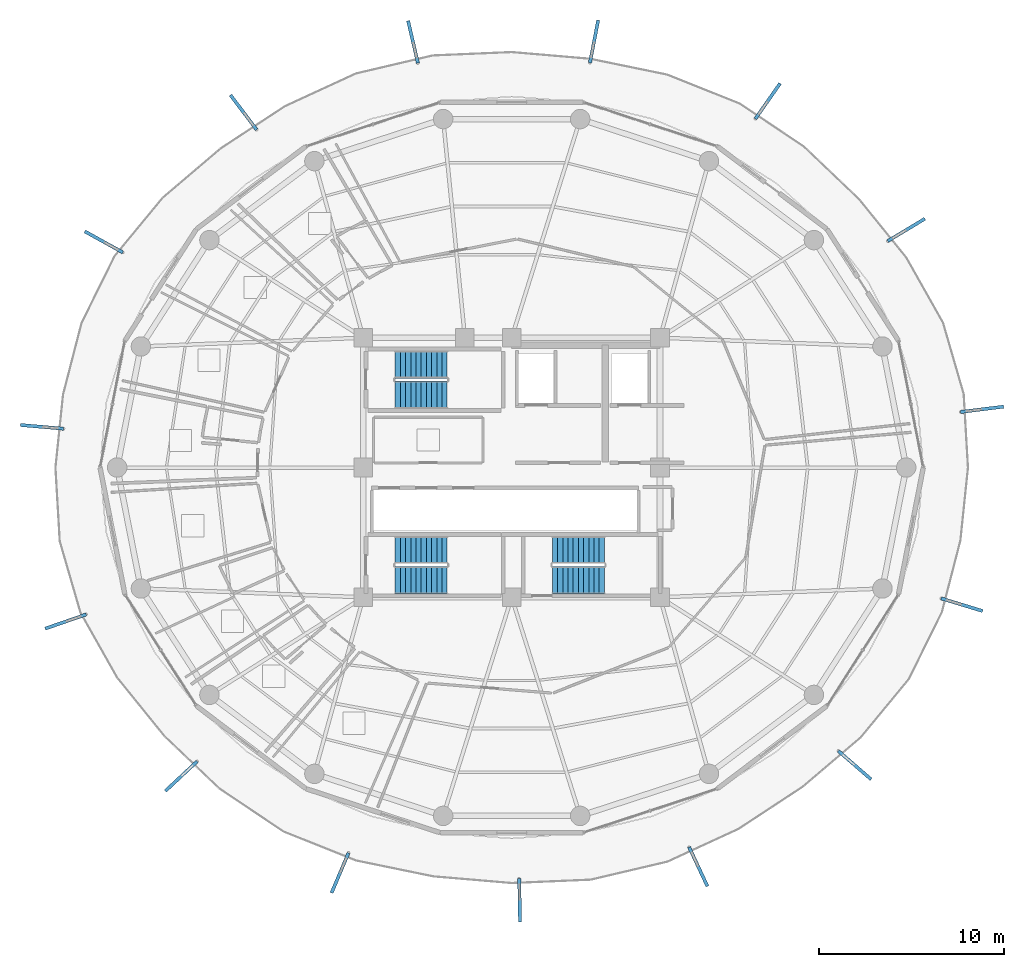
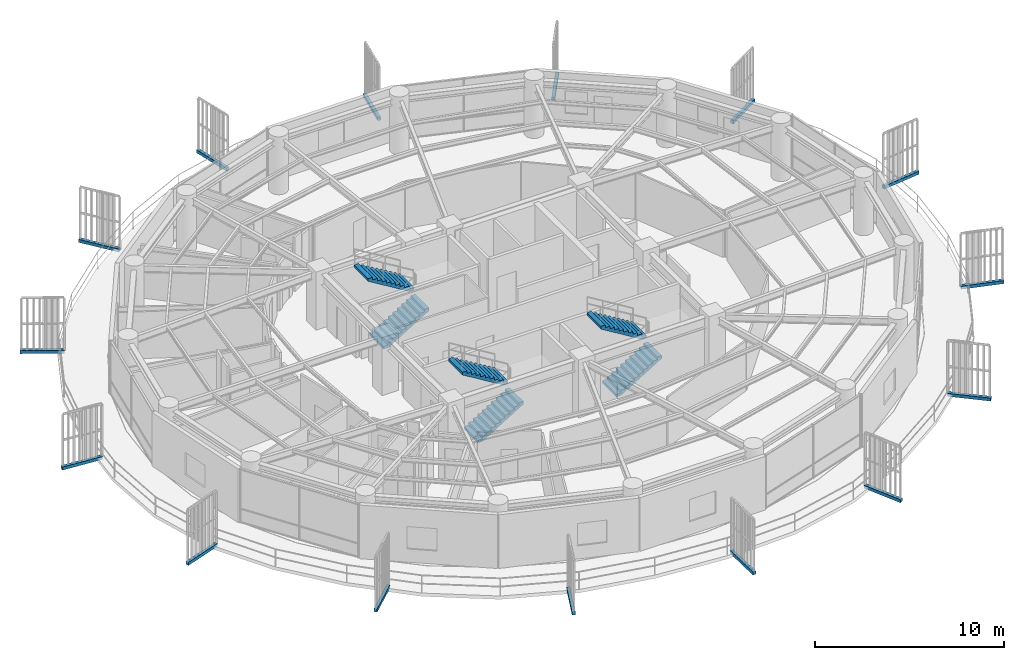
# One storey, part 26 of 30: 15 discrete accessories, 6 stair flights, 3 elements without a shape of their own.
"""IFC4 building model written with IfcOpenShell, lengths in metres."""

from ifc_helpers import new_model, si_unit, direction, frame, origin, origin_2d, place, context, subcontext, project, spatial, polyline, rectangle, outline, extrude, source, transform, mapped, material, type_object, element, aggregate, save


model = new_model("IFC4")

# Units and contexts
model_context = context("Model", 3, precision=1e-05, world=origin(), true_north=direction((0.0, 1.0)))
body_context = subcontext(model_context, "Body", "Model", "MODEL_VIEW")
ifc_project = project(units=[si_unit("LENGTHUNIT", "METRE"), si_unit("AREAUNIT", "SQUARE_METRE"), si_unit("VOLUMEUNIT", "CUBIC_METRE"), si_unit("PLANEANGLEUNIT", "RADIAN"), si_unit("MASSUNIT", "GRAM", prefix="KILO")], contexts=[model_context])

# Site, building, storey
site_placement = place(None, origin())
site = spatial("IfcSite", under=ifc_project, at=site_placement, CompositionType="ELEMENT")
building_placement = place(site_placement, origin())
building = spatial("IfcBuilding", under=site, at=building_placement, Name="Kelanora Arch Commons", CompositionType="ELEMENT")
storey_placement = place(building_placement, frame((0.0, 0.0, 234.449951171875)))
storey = spatial("IfcBuildingStorey", under=building, at=storey_placement, Name="L60", CompositionType="ELEMENT", Elevation=234.449951171875)

# Stair, stair flights
ifc_material_1 = material(Name="Concrete C40/50", Category="concrete")
stair_type = type_object("IfcStairType", Name="STR-DL-375", PredefinedType="HALF_TURN_STAIR", material=ifc_material_1)
stair_1_placement = place(storey_placement, origin())
stair_1 = element("IfcStair", 1, at=stair_1_placement, inside=storey, type_object=stair_type, Name="L60 ST-T1", PredefinedType="HALF_TURN_STAIR")
stair_flight_type = type_object("IfcStairFlightType", Name="FLT-DL-375", PredefinedType="STRAIGHT", material=ifc_material_1)
stair_flight_1_placement = place(storey_placement, frame((67.719970703125, 61.919921875, 0.0), z_axis=(0.0, 0.0, 1.0), x_axis=(1.0, 0.0, 0.0)))
stair_flight_1 = element("IfcStairFlight", 2, at=stair_flight_1_placement, type_object=stair_flight_type, Name="ST-T1 flight 1", NumberOfRisers=11, NumberOfTreads=10, PredefinedType="STRAIGHT", RiserHeight=0.170454545, TreadLength=0.28, context=body_context, shape_type="SweptSolid", body=[
    extrude(outline(polyline([(0.0, 0.0), (0.0, 0.17041015625), (0.280029296875, 0.17041015625), (0.280029296875, 0.3408203125), (0.56005859375, 0.3408203125), (0.56005859375, 0.511474609375), (0.840087890625, 0.511474609375), (0.840087890625, 0.681884765625), (1.1201171875, 0.681884765625), (1.1201171875, 0.852294921875), (1.39990234375, 0.852294921875), (1.39990234375, 1.022705078125), (1.679931640625, 1.022705078125), (1.679931640625, 1.193115234375), (1.9599609375, 1.193115234375), (1.9599609375, 1.363525390625), (2.239990234375, 1.363525390625), (2.239990234375, 1.5341796875), (2.52001953125, 1.5341796875), (2.52001953125, 1.70458984375), (2.800048828125, 1.70458984375), (2.800048828125, 1.875), (2.800048828125, 1.529052734375), (0.288330078125, 0.0), (0.0, 0.0)])), frame((0.0, 0.739990234375, 0.0), z_axis=(0.0, -1.0, 0.0), x_axis=(1.0, 0.0, 0.0)), (0.0, 0.0, 1.0), 1.47998046875),
])
stair_flight_2_placement = place(storey_placement, frame((70.52001953125, 63.550048828125, 1.875), z_axis=(0.0, 0.0, 1.0), x_axis=(-1.0, 0.0, 0.0)))
stair_flight_2 = element("IfcStairFlight", 3, at=stair_flight_2_placement, type_object=stair_flight_type, Name="ST-T1 flight 2", NumberOfRisers=11, NumberOfTreads=10, PredefinedType="STRAIGHT", RiserHeight=0.170454545, TreadLength=0.28, context=body_context, shape_type="SweptSolid", body=[
    extrude(outline(polyline([(0.0, 0.0), (0.0, 0.17041015625), (0.280029296875, 0.17041015625), (0.280029296875, 0.3408203125), (0.56005859375, 0.3408203125), (0.56005859375, 0.511474609375), (0.840087890625, 0.511474609375), (0.840087890625, 0.681884765625), (1.1201171875, 0.681884765625), (1.1201171875, 0.852294921875), (1.39990234375, 0.852294921875), (1.39990234375, 1.022705078125), (1.679931640625, 1.022705078125), (1.679931640625, 1.193115234375), (1.9599609375, 1.193115234375), (1.9599609375, 1.363525390625), (2.239990234375, 1.363525390625), (2.239990234375, 1.5341796875), (2.52001953125, 1.5341796875), (2.52001953125, 1.70458984375), (2.800048828125, 1.70458984375), (2.800048828125, 1.875), (2.800048828125, 1.529052734375), (0.288330078125, 0.0), (0.0, 0.0)])), frame((0.0, 0.739990234375, 0.0), z_axis=(0.0, -1.0, 0.0), x_axis=(1.0, 0.0, 0.0)), (0.0, 0.0, 1.0), 1.47998046875),
])
aggregate(stair_1, [stair_flight_1, stair_flight_2])

stair_2_placement = place(storey_placement, origin())
stair_2 = element("IfcStair", 4, at=stair_2_placement, inside=storey, type_object=stair_type, Name="L60 ST-T2", PredefinedType="HALF_TURN_STAIR")
stair_flight_3_placement = place(storey_placement, frame((76.199951171875, 51.919921875, 0.0), z_axis=(0.0, 0.0, 1.0), x_axis=(1.0, 0.0, 0.0)))
stair_flight_3 = element("IfcStairFlight", 5, at=stair_flight_3_placement, type_object=stair_flight_type, Name="ST-T2 flight 1", NumberOfRisers=11, NumberOfTreads=10, PredefinedType="STRAIGHT", RiserHeight=0.170454545, TreadLength=0.28, context=body_context, shape_type="SweptSolid", body=[
    extrude(outline(polyline([(0.0, 0.0), (0.0, 0.17041015625), (0.280029296875, 0.17041015625), (0.280029296875, 0.3408203125), (0.56005859375, 0.3408203125), (0.56005859375, 0.511474609375), (0.840087890625, 0.511474609375), (0.840087890625, 0.681884765625), (1.1201171875, 0.681884765625), (1.1201171875, 0.852294921875), (1.39990234375, 0.852294921875), (1.39990234375, 1.022705078125), (1.679931640625, 1.022705078125), (1.679931640625, 1.193115234375), (1.9599609375, 1.193115234375), (1.9599609375, 1.363525390625), (2.239990234375, 1.363525390625), (2.239990234375, 1.5341796875), (2.52001953125, 1.5341796875), (2.52001953125, 1.70458984375), (2.800048828125, 1.70458984375), (2.800048828125, 1.875), (2.800048828125, 1.529052734375), (0.288330078125, 0.0), (0.0, 0.0)])), frame((0.0, 0.739990234375, 0.0), z_axis=(0.0, -1.0, 0.0), x_axis=(1.0, 0.0, 0.0)), (0.0, 0.0, 1.0), 1.47998046875),
])
stair_flight_4_placement = place(storey_placement, frame((79.0, 53.550048828125, 1.875), z_axis=(0.0, 0.0, 1.0), x_axis=(-1.0, 0.0, 0.0)))
stair_flight_4 = element("IfcStairFlight", 6, at=stair_flight_4_placement, type_object=stair_flight_type, Name="ST-T2 flight 2", NumberOfRisers=11, NumberOfTreads=10, PredefinedType="STRAIGHT", RiserHeight=0.170454545, TreadLength=0.28, context=body_context, shape_type="SweptSolid", body=[
    extrude(outline(polyline([(0.0, 0.0), (0.0, 0.17041015625), (0.280029296875, 0.17041015625), (0.280029296875, 0.3408203125), (0.56005859375, 0.3408203125), (0.56005859375, 0.511474609375), (0.840087890625, 0.511474609375), (0.840087890625, 0.681884765625), (1.1201171875, 0.681884765625), (1.1201171875, 0.852294921875), (1.39990234375, 0.852294921875), (1.39990234375, 1.022705078125), (1.679931640625, 1.022705078125), (1.679931640625, 1.193115234375), (1.9599609375, 1.193115234375), (1.9599609375, 1.363525390625), (2.239990234375, 1.363525390625), (2.239990234375, 1.5341796875), (2.52001953125, 1.5341796875), (2.52001953125, 1.70458984375), (2.800048828125, 1.70458984375), (2.800048828125, 1.875), (2.800048828125, 1.529052734375), (0.288330078125, 0.0), (0.0, 0.0)])), frame((0.0, 0.739990234375, 0.0), z_axis=(0.0, -1.0, 0.0), x_axis=(1.0, 0.0, 0.0)), (0.0, 0.0, 1.0), 1.47998046875),
])
aggregate(stair_2, [stair_flight_3, stair_flight_4])

stair_3_placement = place(storey_placement, origin())
stair_3 = element("IfcStair", 7, at=stair_3_placement, inside=storey, type_object=stair_type, Name="L60 ST-T3", PredefinedType="HALF_TURN_STAIR")
stair_flight_5_placement = place(storey_placement, frame((67.719970703125, 51.919921875, 0.0), z_axis=(0.0, 0.0, 1.0), x_axis=(1.0, 0.0, 0.0)))
stair_flight_5 = element("IfcStairFlight", 8, at=stair_flight_5_placement, type_object=stair_flight_type, Name="ST-T3 flight 1", NumberOfRisers=11, NumberOfTreads=10, PredefinedType="STRAIGHT", RiserHeight=0.170454545, TreadLength=0.28, context=body_context, shape_type="SweptSolid", body=[
    extrude(outline(polyline([(0.0, 0.0), (0.0, 0.17041015625), (0.280029296875, 0.17041015625), (0.280029296875, 0.3408203125), (0.56005859375, 0.3408203125), (0.56005859375, 0.511474609375), (0.840087890625, 0.511474609375), (0.840087890625, 0.681884765625), (1.1201171875, 0.681884765625), (1.1201171875, 0.852294921875), (1.39990234375, 0.852294921875), (1.39990234375, 1.022705078125), (1.679931640625, 1.022705078125), (1.679931640625, 1.193115234375), (1.9599609375, 1.193115234375), (1.9599609375, 1.363525390625), (2.239990234375, 1.363525390625), (2.239990234375, 1.5341796875), (2.52001953125, 1.5341796875), (2.52001953125, 1.70458984375), (2.800048828125, 1.70458984375), (2.800048828125, 1.875), (2.800048828125, 1.529052734375), (0.288330078125, 0.0), (0.0, 0.0)])), frame((0.0, 0.739990234375, 0.0), z_axis=(0.0, -1.0, 0.0), x_axis=(1.0, 0.0, 0.0)), (0.0, 0.0, 1.0), 1.47998046875),
])
stair_flight_6_placement = place(storey_placement, frame((70.52001953125, 53.550048828125, 1.875), z_axis=(0.0, 0.0, 1.0), x_axis=(-1.0, 0.0, 0.0)))
stair_flight_6 = element("IfcStairFlight", 9, at=stair_flight_6_placement, type_object=stair_flight_type, Name="ST-T3 flight 2", NumberOfRisers=11, NumberOfTreads=10, PredefinedType="STRAIGHT", RiserHeight=0.170454545, TreadLength=0.28, context=body_context, shape_type="SweptSolid", body=[
    extrude(outline(polyline([(0.0, 0.0), (0.0, 0.17041015625), (0.280029296875, 0.17041015625), (0.280029296875, 0.3408203125), (0.56005859375, 0.3408203125), (0.56005859375, 0.511474609375), (0.840087890625, 0.511474609375), (0.840087890625, 0.681884765625), (1.1201171875, 0.681884765625), (1.1201171875, 0.852294921875), (1.39990234375, 0.852294921875), (1.39990234375, 1.022705078125), (1.679931640625, 1.022705078125), (1.679931640625, 1.193115234375), (1.9599609375, 1.193115234375), (1.9599609375, 1.363525390625), (2.239990234375, 1.363525390625), (2.239990234375, 1.5341796875), (2.52001953125, 1.5341796875), (2.52001953125, 1.70458984375), (2.800048828125, 1.70458984375), (2.800048828125, 1.875), (2.800048828125, 1.529052734375), (0.288330078125, 0.0), (0.0, 0.0)])), frame((0.0, 0.739990234375, 0.0), z_axis=(0.0, -1.0, 0.0), x_axis=(1.0, 0.0, 0.0)), (0.0, 0.0, 1.0), 1.47998046875),
])
aggregate(stair_3, [stair_flight_5, stair_flight_6])

# Discrete accessories
ifc_material_2 = material(Name="Stainless steel 316 marine fin bracket", Category="steel")
discrete_accessory_type = type_object("IfcDiscreteAccessoryType", Name="ACC-FIN-BRK", PredefinedType="BRACKET", material=ifc_material_2)
shared_shape = source(origin(), body_context, "Body", "SweptSolid", [
    extrude(rectangle(XDim=2.337158203125, YDim=0.179931640625, at=origin_2d()), origin(), (0.0, 0.0, 1.0), 0.199951171875),
])
for number, where, z_axis, x_axis, name in (
    (10, (92.502685546875, 41.94580078125, -0.16015625), (0.0, 0.0, 1.0), (0.755281812285, -0.655400170912, 0.0), "Sweeping Fin Cantilever Spine Bracket L60-00"),
    (11, (98.281494140625, 50.600830078125, -0.16015625), (0.0, 0.0, 1.0), (0.956559534241, -0.29153706017, 0.0), "Sweeping Fin Cantilever Spine Bracket L60-01"),
    (12, (99.372802734375, 61.13916015625, -0.16015625), (0.0, 0.0, 1.0), (0.992439422656, 0.122735456807, 0.0), "Sweeping Fin Cantilever Spine Bracket L60-02"),
    (13, (95.28271484375, 70.814697265625, -0.16015625), (0.0, 0.0, 1.0), (0.856717518865, 0.515785898285, 0.0), "Sweeping Fin Cantilever Spine Bracket L60-03"),
    (14, (87.808837890625, 77.760009765625, -0.16015625), (0.0, 0.0, 1.0), (0.572861373028, 0.819652272182, 0.0), "Sweeping Fin Cantilever Spine Bracket L60-04"),
    (15, (78.443115234375, 80.9716796875, -0.16015625), (0.0, 0.0, 1.0), (0.189952291512, 0.981793321911, 0.0), "Sweeping Fin Cantilever Spine Bracket L60-05"),
    (16, (68.67919921875, 80.95068359375, -0.16015625), (0.0, 0.0, 1.0), (-0.225801266869, 0.97417338697, 0.0), "Sweeping Fin Cantilever Spine Bracket L60-06"),
    (17, (59.5390625, 77.153564453125, -0.16015625), (0.0, 0.0, 1.0), (-0.602511734868, 0.798110023334, 0.0), "Sweeping Fin Cantilever Spine Bracket L60-07"),
    (18, (52.001953125, 70.1669921875, -0.16015625), (0.0, 0.0, 1.0), (-0.875042450261, 0.484046186062, 0.0), "Sweeping Fin Cantilever Spine Bracket L60-08"),
    (19, (48.6669921875, 60.19287109375, -0.16015625), (0.0, 0.0, 1.0), (-0.996270376493, 0.086286365798, 0.0), "Sweeping Fin Cantilever Spine Bracket L60-09"),
    (20, (49.947021484375, 49.69287109375, -0.16015625), (0.0, 0.0, 1.0), (-0.945234103797, -0.326393150999, 0.0), "Sweeping Fin Cantilever Spine Bracket L60-10"),
    (21, (56.177001953125, 41.34912109375, -0.16015625), (0.0, 0.0, 1.0), (-0.730758267372, -0.6826363268, 0.0), "Sweeping Fin Cantilever Spine Bracket L60-11"),
    (22, (64.742919921875, 36.135009765625, -0.16015625), (0.0, 0.0, 1.0), (-0.389927687788, -0.920845480141, 0.0), "Sweeping Fin Cantilever Spine Bracket L60-12"),
    (23, (74.428955078125, 34.66162109375, -0.16015625), (0.0, 0.0, 1.0), (0.018324931396, -0.999832084347, 0.0), "Sweeping Fin Cantilever Spine Bracket L60-13"),
    (24, (84.06396484375, 36.469482421875, -0.16015625), (0.0, 0.0, 1.0), (0.423409003465, -0.90593863798, 0.0), "Sweeping Fin Cantilever Spine Bracket L60-14"),
):
    element("IfcDiscreteAccessory", number, at=place(storey_placement, frame(where, z_axis=z_axis, x_axis=x_axis)), inside=storey, type_object=discrete_accessory_type, Name=name, PredefinedType="BRACKET", context=body_context, shape_type="MappedRepresentation", body=[
        mapped(shared_shape, transform((0.0, 0.0, 0.0), scale=1.0)),
    ])

save(model, "model.ifc")
